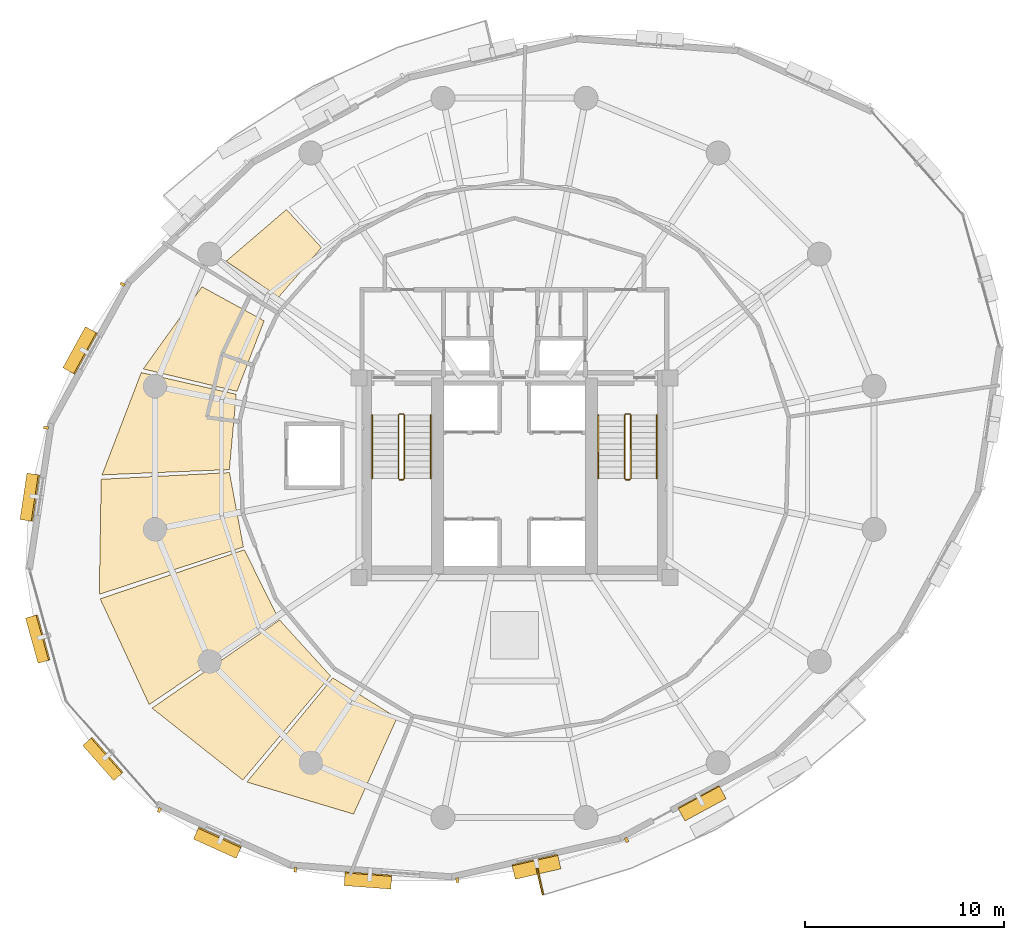
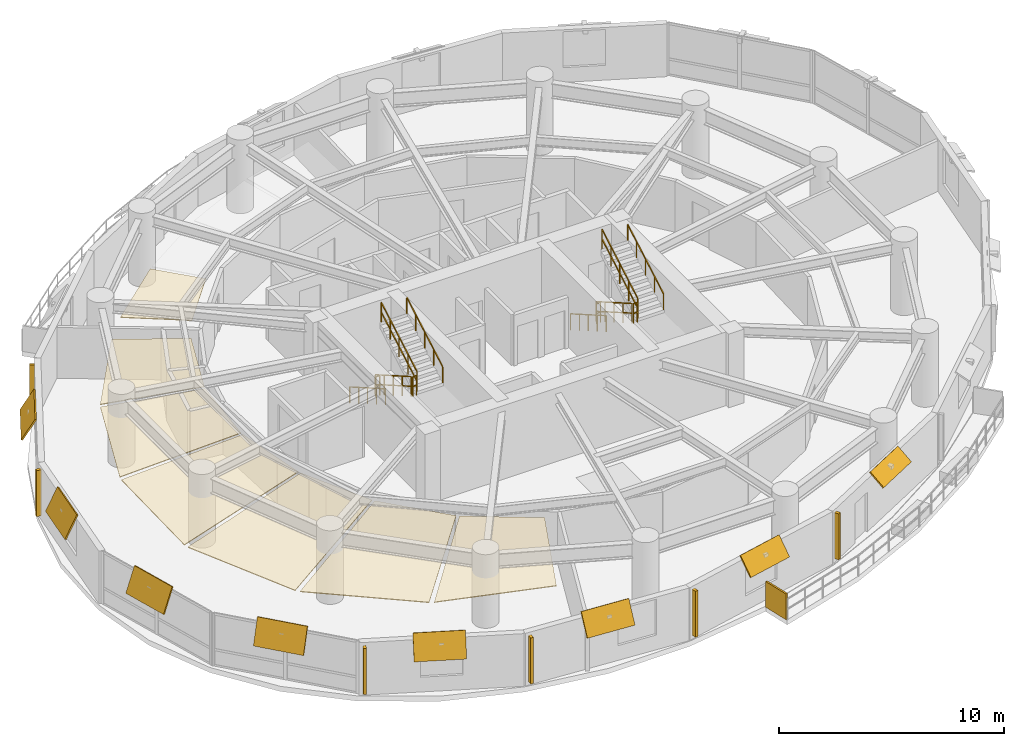
# One storey, part 11 of 12: 15 shading devices, 12 railings, 7 coverings.
"""IFC4 building model written with IfcOpenShell, lengths in metres."""

from ifc_helpers import new_model, si_unit, direction, frame, origin, origin_2d, place, context, subcontext, project, spatial, polyline, rectangle, outline, extrude, material, layer, layer_set, type_object, element, save


model = new_model("IFC4")

# Units and contexts
model_context = context("Model", 3, precision=1e-05, world=origin(), true_north=direction((0.0, 1.0)))
body_context = subcontext(model_context, "Body", "Model", "MODEL_VIEW")
ifc_project = project(units=[si_unit("LENGTHUNIT", "METRE"), si_unit("AREAUNIT", "SQUARE_METRE"), si_unit("VOLUMEUNIT", "CUBIC_METRE"), si_unit("PLANEANGLEUNIT", "RADIAN"), si_unit("MASSUNIT", "GRAM", prefix="KILO"), si_unit("THERMODYNAMICTEMPERATUREUNIT", "KELVIN"), si_unit("POWERUNIT", "WATT")], contexts=[model_context])

# Site, building, storey
site_placement = place(None, origin())
site = spatial("IfcSite", under=ifc_project, at=site_placement, CompositionType="ELEMENT")
building_placement = place(site_placement, origin())
building = spatial("IfcBuilding", under=site, at=building_placement, Name="Ocrelia Relay Tower", CompositionType="ELEMENT")
storey_placement = place(building_placement, frame((0.0, 0.0, 153.800048828125)))
storey = spatial("IfcBuildingStorey", under=building, at=storey_placement, Name="L36", CompositionType="ELEMENT", Elevation=153.800048828125)

# Coverings
ifc_material_1 = material(Name="Mineral-fiber acoustic ceiling tile", Category="gypsum")
ifc_layer_1 = layer(ifc_material_1, 0.0400390625, Name="Mineral-fiber acoustic ceiling tile")
ifc_layer_set_1 = layer_set([ifc_layer_1], Name="Mineral-fiber acoustic ceiling tile")
covering_type = type_object("IfcCoveringType", Name="COV-CEIL-ACOUSTIC", PredefinedType="CEILING", material=ifc_layer_set_1)
covering_1_placement = place(storey_placement, frame((0.0, 0.0, 2.679931640625)))
element("IfcCovering", 1, at=covering_1_placement, inside=storey, type_object=covering_type, Name="L36 Operations Control Office Suspended Ceiling 1", PredefinedType="CEILING", context=body_context, shape_type="SweptSolid", body=[
    extrude(outline(polyline([(21.439208984375, 32.876708984375), (18.31884765625, 34.585205078125), (15.37060546875, 30.461181640625), (20.07373046875, 29.334716796875), (21.439208984375, 32.876708984375)])), origin(), (0.0, 0.0, 1.0), 0.0400390625),
])
covering_2_placement = place(storey_placement, frame((0.0, 0.0, 2.679931640625)))
element("IfcCovering", 2, at=covering_2_placement, inside=storey, type_object=covering_type, Name="L36 Operations Control Office Suspended Ceiling 2", PredefinedType="CEILING", context=body_context, shape_type="SweptSolid", body=[
    extrude(outline(polyline([(20.03955078125, 29.188720703125), (15.26904296875, 30.278564453125), (13.305419921875, 25.144775390625), (19.692138671875, 25.40869140625), (20.03955078125, 29.188720703125)])), origin(), (0.0, 0.0, 1.0), 0.0400390625),
])
covering_3_placement = place(storey_placement, frame((0.0, 0.0, 2.679931640625)))
element("IfcCovering", 3, at=covering_3_placement, inside=storey, type_object=covering_type, Name="L36 Operations Control Office Suspended Ceiling 3", PredefinedType="CEILING", context=body_context, shape_type="SweptSolid", body=[
    extrude(outline(polyline([(19.69921875, 25.2587890625), (13.2587890625, 24.925048828125), (13.16455078125, 19.149658203125), (20.396484375, 21.52734375), (19.69921875, 25.2587890625)])), origin(), (0.0, 0.0, 1.0), 0.0400390625),
])
covering_4_placement = place(storey_placement, frame((0.0, 0.0, 2.679931640625)))
element("IfcCovering", 4, at=covering_4_placement, inside=storey, type_object=covering_type, Name="L36 Operations Control Office Suspended Ceiling 4", PredefinedType="CEILING", context=body_context, shape_type="SweptSolid", body=[
    extrude(outline(polyline([(20.444091796875, 21.38525390625), (13.209716796875, 18.92236328125), (15.66796875, 13.619384765625), (22.1328125, 17.985595703125), (20.444091796875, 21.38525390625)])), origin(), (0.0, 0.0, 1.0), 0.0400390625),
])
covering_5_placement = place(storey_placement, frame((0.0, 0.0, 2.679931640625)))
element("IfcCovering", 5, at=covering_5_placement, inside=storey, type_object=covering_type, Name="L36 Operations Control Office Suspended Ceiling 5", PredefinedType="CEILING", context=body_context, shape_type="SweptSolid", body=[
    extrude(outline(polyline([(22.21728515625, 17.861572265625), (15.813232421875, 13.43798828125), (20.367919921875, 9.830322265625), (24.769775390625, 15.0517578125), (22.21728515625, 17.861572265625)])), origin(), (0.0, 0.0, 1.0), 0.0400390625),
])
covering_6_placement = place(storey_placement, frame((0.0, 0.0, 2.679931640625)))
element("IfcCovering", 6, at=covering_6_placement, inside=storey, type_object=covering_type, Name="L36 Operations Control Office Suspended Ceiling 6", PredefinedType="CEILING", context=body_context, shape_type="SweptSolid", body=[
    extrude(outline(polyline([(24.885009765625, 14.95556640625), (20.571533203125, 9.729248046875), (25.926513671875, 8.119140625), (28.107177734375, 12.94873046875), (24.885009765625, 14.95556640625)])), origin(), (0.0, 0.0, 1.0), 0.0400390625),
])
covering_7_placement = place(storey_placement, frame((0.0, 0.0, 2.679931640625)))
element("IfcCovering", 7, at=covering_7_placement, inside=storey, type_object=covering_type, Name="L36 Sky Observation Lounge Suspended Ceiling 4", PredefinedType="CEILING", context=body_context, shape_type="SweptSolid", body=[
    extrude(outline(polyline([(24.31640625, 36.54931640625), (22.5595703125, 38.463134765625), (19.532470703125, 35.869140625), (22.17041015625, 34.069580078125), (24.31640625, 36.54931640625)])), origin(), (0.0, 0.0, 1.0), 0.0400390625),
])

# Railings
ifc_material_2 = material(Name="Steel S355 balustrade", Category="steel")
railing_type_1 = type_object("IfcRailingType", Name="RL-STAIR-GUARD", PredefinedType="GUARDRAIL", material=ifc_material_2)
railing_1_placement = place(storey_placement, frame((28.179931640625, 28.14990234375, 0.16650390625)))
element("IfcRailing", 8, at=railing_1_placement, inside=storey, type_object=railing_type_1, Name="L36 ST1 stair guard 1", PredefinedType="GUARDRAIL", context=body_context, shape_type="SweptSolid", body=[
    extrude(rectangle(XDim=0.048095703125, YDim=0.048095703125, at=origin_2d()), frame((0.0, 0.0, 1.076171875), z_axis=(0.0, -0.86699087805, 0.498324008431), x_axis=(1.0, 0.0, 0.0)), (0.0, 0.0, 1.0), 3.679443359375),
    extrude(rectangle(XDim=0.048095703125, YDim=0.048095703125, at=origin_2d()), frame((0.0, 0.0, 0.550048828125), z_axis=(0.0, -0.86699087805, 0.498324008431), x_axis=(1.0, 0.0, 0.0)), (0.0, 0.0, 1.0), 3.679443359375),
    extrude(rectangle(XDim=0.0419921875, YDim=0.0419921875, at=origin_2d()), origin(), (0.0, 0.0, 1.0), 1.052001953125),
    extrude(rectangle(XDim=0.0419921875, YDim=0.0419921875, at=origin_2d()), frame((0.0, -0.79736328125, 0.45849609375)), (0.0, 0.0, 1.0), 1.052001953125),
    extrude(rectangle(XDim=0.0419921875, YDim=0.0419921875, at=origin_2d()), frame((0.0, -1.594970703125, 0.916748046875)), (0.0, 0.0, 1.0), 1.052001953125),
    extrude(rectangle(XDim=0.0419921875, YDim=0.0419921875, at=origin_2d()), frame((0.0, -2.392578125, 1.375)), (0.0, 0.0, 1.0), 1.052001953125),
    extrude(rectangle(XDim=0.0419921875, YDim=0.0419921875, at=origin_2d()), frame((0.0, -3.18994140625, 1.83349609375)), (0.0, 0.0, 1.0), 1.052001953125),
])
railing_2_placement = place(storey_placement, frame((28.22998046875, 24.909912109375, 2.0)))
element("IfcRailing", 9, at=railing_2_placement, inside=storey, type_object=railing_type_1, Name="L36 ST1 stair guard 2", PredefinedType="GUARDRAIL", context=body_context, shape_type="SweptSolid", body=[
    extrude(rectangle(XDim=0.048095703125, YDim=0.048095703125, at=origin_2d()), frame((0.0, 0.0, 1.076171875), z_axis=(1.0, 0.0, 0.0), x_axis=(0.0, 1.0, 0.0)), (0.0, 0.0, 1.0), 0.199951171875),
    extrude(rectangle(XDim=0.048095703125, YDim=0.048095703125, at=origin_2d()), frame((0.0, 0.0, 0.550048828125), z_axis=(1.0, 0.0, 0.0), x_axis=(0.0, 1.0, 0.0)), (0.0, 0.0, 1.0), 0.199951171875),
    extrude(rectangle(XDim=0.0419921875, YDim=0.0419921875, at=origin_2d()), origin(), (0.0, 0.0, 1.0), 1.052001953125),
    extrude(rectangle(XDim=0.0419921875, YDim=0.0419921875, at=origin_2d()), frame((0.199951171875, 0.0, 0.0)), (0.0, 0.0, 1.0), 1.052001953125),
])
railing_3_placement = place(storey_placement, frame((28.47998046875, 24.9599609375, 2.16650390625)))
element("IfcRailing", 10, at=railing_3_placement, inside=storey, type_object=railing_type_1, Name="L36 ST1 stair guard 3", PredefinedType="GUARDRAIL", context=body_context, shape_type="SweptSolid", body=[
    extrude(rectangle(XDim=0.048095703125, YDim=0.048095703125, at=origin_2d()), frame((0.0, 0.0, 1.076171875), z_axis=(0.0, 0.86699087805, 0.498324008431), x_axis=(-1.0, 0.0, 0.0)), (0.0, 0.0, 1.0), 3.679443359375),
    extrude(rectangle(XDim=0.048095703125, YDim=0.048095703125, at=origin_2d()), frame((0.0, 0.0, 0.550048828125), z_axis=(0.0, 0.86699087805, 0.498324008431), x_axis=(-1.0, 0.0, 0.0)), (0.0, 0.0, 1.0), 3.679443359375),
    extrude(rectangle(XDim=0.0419921875, YDim=0.0419921875, at=origin_2d()), origin(), (0.0, 0.0, 1.0), 1.052001953125),
    extrude(rectangle(XDim=0.0419921875, YDim=0.0419921875, at=origin_2d()), frame((0.0, 0.79736328125, 0.45849609375)), (0.0, 0.0, 1.0), 1.052001953125),
    extrude(rectangle(XDim=0.0419921875, YDim=0.0419921875, at=origin_2d()), frame((0.0, 1.594970703125, 0.916748046875)), (0.0, 0.0, 1.0), 1.052001953125),
    extrude(rectangle(XDim=0.0419921875, YDim=0.0419921875, at=origin_2d()), frame((0.0, 2.392578125, 1.375)), (0.0, 0.0, 1.0), 1.052001953125),
    extrude(rectangle(XDim=0.0419921875, YDim=0.0419921875, at=origin_2d()), frame((0.0, 3.18994140625, 1.83349609375)), (0.0, 0.0, 1.0), 1.052001953125),
])
railing_4_placement = place(storey_placement, frame((28.22998046875, 28.199951171875, 0.0)))
element("IfcRailing", 11, at=railing_4_placement, inside=storey, type_object=railing_type_1, Name="L36 ST1 stair guard 4", PredefinedType="GUARDRAIL", context=body_context, shape_type="SweptSolid", body=[
    extrude(rectangle(XDim=0.048095703125, YDim=0.048095703125, at=origin_2d()), frame((0.0, 0.0, 1.076171875), z_axis=(1.0, 0.0, 0.0), x_axis=(0.0, 1.0, 0.0)), (0.0, 0.0, 1.0), 0.199951171875),
    extrude(rectangle(XDim=0.048095703125, YDim=0.048095703125, at=origin_2d()), frame((0.0, 0.0, 0.550048828125), z_axis=(1.0, 0.0, 0.0), x_axis=(0.0, 1.0, 0.0)), (0.0, 0.0, 1.0), 0.199951171875),
    extrude(rectangle(XDim=0.0419921875, YDim=0.0419921875, at=origin_2d()), origin(), (0.0, 0.0, 1.0), 1.052001953125),
    extrude(rectangle(XDim=0.0419921875, YDim=0.0419921875, at=origin_2d()), frame((0.199951171875, 0.0, 0.0)), (0.0, 0.0, 1.0), 1.052001953125),
])
railing_5_placement = place(storey_placement, frame((39.530029296875, 28.14990234375, 0.16650390625)))
element("IfcRailing", 12, at=railing_5_placement, inside=storey, type_object=railing_type_1, Name="L36 ST2 stair guard 1", PredefinedType="GUARDRAIL", context=body_context, shape_type="SweptSolid", body=[
    extrude(rectangle(XDim=0.048095703125, YDim=0.048095703125, at=origin_2d()), frame((0.0, 0.0, 1.076171875), z_axis=(0.0, -0.86699087805, 0.498324008431), x_axis=(1.0, 0.0, 0.0)), (0.0, 0.0, 1.0), 3.679443359375),
    extrude(rectangle(XDim=0.048095703125, YDim=0.048095703125, at=origin_2d()), frame((0.0, 0.0, 0.550048828125), z_axis=(0.0, -0.86699087805, 0.498324008431), x_axis=(1.0, 0.0, 0.0)), (0.0, 0.0, 1.0), 3.679443359375),
    extrude(rectangle(XDim=0.0419921875, YDim=0.0419921875, at=origin_2d()), origin(), (0.0, 0.0, 1.0), 1.052001953125),
    extrude(rectangle(XDim=0.0419921875, YDim=0.0419921875, at=origin_2d()), frame((0.0, -0.79736328125, 0.45849609375)), (0.0, 0.0, 1.0), 1.052001953125),
    extrude(rectangle(XDim=0.0419921875, YDim=0.0419921875, at=origin_2d()), frame((0.0, -1.594970703125, 0.916748046875)), (0.0, 0.0, 1.0), 1.052001953125),
    extrude(rectangle(XDim=0.0419921875, YDim=0.0419921875, at=origin_2d()), frame((0.0, -2.392578125, 1.375)), (0.0, 0.0, 1.0), 1.052001953125),
    extrude(rectangle(XDim=0.0419921875, YDim=0.0419921875, at=origin_2d()), frame((0.0, -3.18994140625, 1.83349609375)), (0.0, 0.0, 1.0), 1.052001953125),
])
railing_6_placement = place(storey_placement, frame((39.580078125, 24.909912109375, 2.0)))
element("IfcRailing", 13, at=railing_6_placement, inside=storey, type_object=railing_type_1, Name="L36 ST2 stair guard 2", PredefinedType="GUARDRAIL", context=body_context, shape_type="SweptSolid", body=[
    extrude(rectangle(XDim=0.048095703125, YDim=0.048095703125, at=origin_2d()), frame((0.0, 0.0, 1.076171875), z_axis=(1.0, 0.0, 0.0), x_axis=(0.0, 1.0, 0.0)), (0.0, 0.0, 1.0), 0.199951171875),
    extrude(rectangle(XDim=0.048095703125, YDim=0.048095703125, at=origin_2d()), frame((0.0, 0.0, 0.550048828125), z_axis=(1.0, 0.0, 0.0), x_axis=(0.0, 1.0, 0.0)), (0.0, 0.0, 1.0), 0.199951171875),
    extrude(rectangle(XDim=0.0419921875, YDim=0.0419921875, at=origin_2d()), origin(), (0.0, 0.0, 1.0), 1.052001953125),
    extrude(rectangle(XDim=0.0419921875, YDim=0.0419921875, at=origin_2d()), frame((0.199951171875, 0.0, 0.0)), (0.0, 0.0, 1.0), 1.052001953125),
])
railing_7_placement = place(storey_placement, frame((39.830078125, 24.9599609375, 2.16650390625)))
element("IfcRailing", 14, at=railing_7_placement, inside=storey, type_object=railing_type_1, Name="L36 ST2 stair guard 3", PredefinedType="GUARDRAIL", context=body_context, shape_type="SweptSolid", body=[
    extrude(rectangle(XDim=0.048095703125, YDim=0.048095703125, at=origin_2d()), frame((0.0, 0.0, 1.076171875), z_axis=(0.0, 0.86699087805, 0.498324008431), x_axis=(-1.0, 0.0, 0.0)), (0.0, 0.0, 1.0), 3.679443359375),
    extrude(rectangle(XDim=0.048095703125, YDim=0.048095703125, at=origin_2d()), frame((0.0, 0.0, 0.550048828125), z_axis=(0.0, 0.86699087805, 0.498324008431), x_axis=(-1.0, 0.0, 0.0)), (0.0, 0.0, 1.0), 3.679443359375),
    extrude(rectangle(XDim=0.0419921875, YDim=0.0419921875, at=origin_2d()), origin(), (0.0, 0.0, 1.0), 1.052001953125),
    extrude(rectangle(XDim=0.0419921875, YDim=0.0419921875, at=origin_2d()), frame((0.0, 0.79736328125, 0.45849609375)), (0.0, 0.0, 1.0), 1.052001953125),
    extrude(rectangle(XDim=0.0419921875, YDim=0.0419921875, at=origin_2d()), frame((0.0, 1.594970703125, 0.916748046875)), (0.0, 0.0, 1.0), 1.052001953125),
    extrude(rectangle(XDim=0.0419921875, YDim=0.0419921875, at=origin_2d()), frame((0.0, 2.392578125, 1.375)), (0.0, 0.0, 1.0), 1.052001953125),
    extrude(rectangle(XDim=0.0419921875, YDim=0.0419921875, at=origin_2d()), frame((0.0, 3.18994140625, 1.83349609375)), (0.0, 0.0, 1.0), 1.052001953125),
])
railing_8_placement = place(storey_placement, frame((39.580078125, 28.199951171875, 0.0)))
element("IfcRailing", 15, at=railing_8_placement, inside=storey, type_object=railing_type_1, Name="L36 ST2 stair guard 4", PredefinedType="GUARDRAIL", context=body_context, shape_type="SweptSolid", body=[
    extrude(rectangle(XDim=0.048095703125, YDim=0.048095703125, at=origin_2d()), frame((0.0, 0.0, 1.076171875), z_axis=(1.0, 0.0, 0.0), x_axis=(0.0, 1.0, 0.0)), (0.0, 0.0, 1.0), 0.199951171875),
    extrude(rectangle(XDim=0.048095703125, YDim=0.048095703125, at=origin_2d()), frame((0.0, 0.0, 0.550048828125), z_axis=(1.0, 0.0, 0.0), x_axis=(0.0, 1.0, 0.0)), (0.0, 0.0, 1.0), 0.199951171875),
    extrude(rectangle(XDim=0.0419921875, YDim=0.0419921875, at=origin_2d()), origin(), (0.0, 0.0, 1.0), 1.052001953125),
    extrude(rectangle(XDim=0.0419921875, YDim=0.0419921875, at=origin_2d()), frame((0.199951171875, 0.0, 0.0)), (0.0, 0.0, 1.0), 1.052001953125),
])
ifc_material_3 = material(Name="Steel S355 tubular handrail", Category="steel")
railing_type_2 = type_object("IfcRailingType", Name="RL-STAIR-HAND", PredefinedType="HANDRAIL", material=ifc_material_3)
railing_9_placement = place(storey_placement, frame((26.860107421875, 28.14990234375, 0.16650390625)))
element("IfcRailing", 16, at=railing_9_placement, inside=storey, type_object=railing_type_2, Name="L36 ST1 stair handrail 1", PredefinedType="HANDRAIL", context=body_context, shape_type="SweptSolid", body=[
    extrude(rectangle(XDim=0.048095703125, YDim=0.048095703125, at=origin_2d()), frame((0.0, 0.0, 0.8759765625), z_axis=(0.0, -0.86699087805, 0.498324008431), x_axis=(1.0, 0.0, 0.0)), (0.0, 0.0, 1.0), 3.679443359375),
    extrude(rectangle(XDim=0.0419921875, YDim=0.0419921875, at=origin_2d()), origin(), (0.0, 0.0, 1.0), 0.851806640625),
    extrude(rectangle(XDim=0.0419921875, YDim=0.0419921875, at=origin_2d()), frame((0.0, -0.79736328125, 0.45849609375)), (0.0, 0.0, 1.0), 0.851806640625),
    extrude(rectangle(XDim=0.0419921875, YDim=0.0419921875, at=origin_2d()), frame((0.0, -1.594970703125, 0.916748046875)), (0.0, 0.0, 1.0), 0.851806640625),
    extrude(rectangle(XDim=0.0419921875, YDim=0.0419921875, at=origin_2d()), frame((0.0, -2.392578125, 1.375)), (0.0, 0.0, 1.0), 0.851806640625),
    extrude(rectangle(XDim=0.0419921875, YDim=0.0419921875, at=origin_2d()), frame((0.0, -3.18994140625, 1.83349609375)), (0.0, 0.0, 1.0), 0.851806640625),
])
railing_10_placement = place(storey_placement, frame((29.800048828125, 24.9599609375, 2.16650390625)))
element("IfcRailing", 17, at=railing_10_placement, inside=storey, type_object=railing_type_2, Name="L36 ST1 stair handrail 2", PredefinedType="HANDRAIL", context=body_context, shape_type="SweptSolid", body=[
    extrude(rectangle(XDim=0.048095703125, YDim=0.048095703125, at=origin_2d()), frame((0.0, 0.0, 0.8759765625), z_axis=(0.0, 0.86699087805, 0.498324008431), x_axis=(-1.0, 0.0, 0.0)), (0.0, 0.0, 1.0), 3.679443359375),
    extrude(rectangle(XDim=0.0419921875, YDim=0.0419921875, at=origin_2d()), origin(), (0.0, 0.0, 1.0), 0.851806640625),
    extrude(rectangle(XDim=0.0419921875, YDim=0.0419921875, at=origin_2d()), frame((0.0, 0.79736328125, 0.45849609375)), (0.0, 0.0, 1.0), 0.851806640625),
    extrude(rectangle(XDim=0.0419921875, YDim=0.0419921875, at=origin_2d()), frame((0.0, 1.594970703125, 0.916748046875)), (0.0, 0.0, 1.0), 0.851806640625),
    extrude(rectangle(XDim=0.0419921875, YDim=0.0419921875, at=origin_2d()), frame((0.0, 2.392578125, 1.375)), (0.0, 0.0, 1.0), 0.851806640625),
    extrude(rectangle(XDim=0.0419921875, YDim=0.0419921875, at=origin_2d()), frame((0.0, 3.18994140625, 1.83349609375)), (0.0, 0.0, 1.0), 0.851806640625),
])
railing_11_placement = place(storey_placement, frame((38.2099609375, 28.14990234375, 0.16650390625)))
element("IfcRailing", 18, at=railing_11_placement, inside=storey, type_object=railing_type_2, Name="L36 ST2 stair handrail 1", PredefinedType="HANDRAIL", context=body_context, shape_type="SweptSolid", body=[
    extrude(rectangle(XDim=0.048095703125, YDim=0.048095703125, at=origin_2d()), frame((0.0, 0.0, 0.8759765625), z_axis=(0.0, -0.86699087805, 0.498324008431), x_axis=(1.0, 0.0, 0.0)), (0.0, 0.0, 1.0), 3.679443359375),
    extrude(rectangle(XDim=0.0419921875, YDim=0.0419921875, at=origin_2d()), origin(), (0.0, 0.0, 1.0), 0.851806640625),
    extrude(rectangle(XDim=0.0419921875, YDim=0.0419921875, at=origin_2d()), frame((0.0, -0.79736328125, 0.45849609375)), (0.0, 0.0, 1.0), 0.851806640625),
    extrude(rectangle(XDim=0.0419921875, YDim=0.0419921875, at=origin_2d()), frame((0.0, -1.594970703125, 0.916748046875)), (0.0, 0.0, 1.0), 0.851806640625),
    extrude(rectangle(XDim=0.0419921875, YDim=0.0419921875, at=origin_2d()), frame((0.0, -2.392578125, 1.375)), (0.0, 0.0, 1.0), 0.851806640625),
    extrude(rectangle(XDim=0.0419921875, YDim=0.0419921875, at=origin_2d()), frame((0.0, -3.18994140625, 1.83349609375)), (0.0, 0.0, 1.0), 0.851806640625),
])
railing_12_placement = place(storey_placement, frame((41.14990234375, 24.9599609375, 2.16650390625)))
element("IfcRailing", 19, at=railing_12_placement, inside=storey, type_object=railing_type_2, Name="L36 ST2 stair handrail 2", PredefinedType="HANDRAIL", context=body_context, shape_type="SweptSolid", body=[
    extrude(rectangle(XDim=0.048095703125, YDim=0.048095703125, at=origin_2d()), frame((0.0, 0.0, 0.8759765625), z_axis=(0.0, 0.86699087805, 0.498324008431), x_axis=(-1.0, 0.0, 0.0)), (0.0, 0.0, 1.0), 3.679443359375),
    extrude(rectangle(XDim=0.0419921875, YDim=0.0419921875, at=origin_2d()), origin(), (0.0, 0.0, 1.0), 0.851806640625),
    extrude(rectangle(XDim=0.0419921875, YDim=0.0419921875, at=origin_2d()), frame((0.0, 0.79736328125, 0.45849609375)), (0.0, 0.0, 1.0), 0.851806640625),
    extrude(rectangle(XDim=0.0419921875, YDim=0.0419921875, at=origin_2d()), frame((0.0, 1.594970703125, 0.916748046875)), (0.0, 0.0, 1.0), 0.851806640625),
    extrude(rectangle(XDim=0.0419921875, YDim=0.0419921875, at=origin_2d()), frame((0.0, 2.392578125, 1.375)), (0.0, 0.0, 1.0), 0.851806640625),
    extrude(rectangle(XDim=0.0419921875, YDim=0.0419921875, at=origin_2d()), frame((0.0, 3.18994140625, 1.83349609375)), (0.0, 0.0, 1.0), 0.851806640625),
])

# Shading devices
ifc_material_4 = material(Name="Perforated oxide terracotta solar screen", Category="masonry")
ifc_layer_2 = layer(ifc_material_4, 0.090087890625, Name="Perforated oxide terracotta solar screen")
ifc_layer_set_2 = layer_set([ifc_layer_2], Name="Perforated oxide terracotta solar screen")
shading_device_type_1 = type_object("IfcShadingDeviceType", Name="SH-BALC-SCREEN", PredefinedType="USERDEFINED", material=ifc_layer_set_2)
shading_device_1_placement = place(storey_placement, frame((35.284912109375, 4.729736328125, 0.0), z_axis=(0.0, 0.0, 1.0), x_axis=(0.22232204056, -0.974973286958, 0.0)))
element("IfcShadingDevice", 20, at=shading_device_1_placement, inside=storey, type_object=shading_device_type_1, Name="L36 Balcony Perforated Terracotta Screen B2-1", ObjectType="SCREEN", PredefinedType="USERDEFINED", context=body_context, shape_type="SweptSolid", body=[
    extrude(rectangle(XDim=1.340087890625, YDim=0.090087890625, at=origin_2d()), origin(), (0.0, 0.0, 1.0), 1.39990234375),
])
ifc_material_5 = material(Name="Extruded oxide terracotta vertical baguette", Category="masonry")
shading_device_type_2 = type_object("IfcShadingDeviceType", Name="SH-TERR-BAGUETTE", PredefinedType="USERDEFINED", material=ifc_material_5)
for number, where, z_axis, x_axis, name in (
    (21, (14.334716796875, 34.7099609375, 0.179931640625), (0.0, 0.0, 1.0), (-0.481477672977, -0.876458356355, 0.0), "L36 Oxide Terracotta Vertical Baguette 07"),
    (22, (10.4912109375, 27.51123046875, 0.179931640625), (0.0, 0.0, 1.0), (-0.148143748099, -0.988965838591, 0.0), "L36 Oxide Terracotta Vertical Baguette 08"),
    (23, (16.180908203125, 8.3212890625, 0.179931640625), (0.0, 0.0, 1.0), (0.910104227307, -0.414379410006, 0.0), "L36 Oxide Terracotta Vertical Baguette 11"),
    (24, (22.999755859375, 5.32373046875, 0.179931640625), (0.0, 0.0, 1.0), (0.997290592698, -0.073562719608, 0.0), "L36 Oxide Terracotta Vertical Baguette 12"),
    (25, (31.135986328125, 4.8046875, 0.179931640625), (0.0, 0.0, 1.0), (0.974648043129, 0.22374358544, 0.0), "L36 Oxide Terracotta Vertical Baguette 13"),
    (26, (39.624267578125, 6.828125, 0.179931640625), (0.0, 0.0, 1.0), (0.878818530607, 0.477156148721, 0.0), "L36 Oxide Terracotta Vertical Baguette 14"),
):
    element("IfcShadingDevice", number, at=place(storey_placement, frame(where, z_axis=z_axis, x_axis=x_axis)), inside=storey, type_object=shading_device_type_2, Name=name, ObjectType="BAGUETTE", PredefinedType="USERDEFINED", context=body_context, shape_type="SweptSolid", body=[
        extrude(rectangle(XDim=0.139892578125, YDim=0.239990234375, at=origin_2d()), origin(), (0.0, 0.0, 1.0), 2.5),
    ])
ifc_material_6 = material(Name="Extruded oxide terracotta fin", Category="masonry")
ifc_layer_3 = layer(ifc_material_6, 0.080078125, Name="Extruded oxide terracotta fin")
ifc_layer_set_3 = layer_set([ifc_layer_3], Name="Extruded oxide terracotta fin")
shading_device_type_3 = type_object("IfcShadingDeviceType", Name="SH-VISOR-FIN-DEEP", PredefinedType="USERDEFINED", material=ifc_layer_set_3)
shading_device_2_placement = place(storey_placement, frame((12.2353515625, 31.3681640625, 2.680419921875), z_axis=(-0.76418263209, 0.419799609144, 0.48968683153), x_axis=(-0.481477672977, -0.876458356355, 0.0)))
element("IfcShadingDevice", 27, at=shading_device_2_placement, inside=storey, type_object=shading_device_type_3, Name="L36 Canted Terracotta Sun-Visor Fin 07", ObjectType="FIN", PredefinedType="USERDEFINED", context=body_context, shape_type="SweptSolid", body=[
    extrude(rectangle(XDim=2.35009765625, YDim=1.260986328125, at=origin_2d()), origin(), (0.0, 0.0, 1.0), 0.080078125),
])
shading_device_3_placement = place(storey_placement, frame((9.713623046875, 24.01513671875, 2.6826171875), z_axis=(-0.892626012637, 0.133712367002, 0.430511096808), x_axis=(-0.148143748099, -0.988965838591, 0.0)))
element("IfcShadingDevice", 28, at=shading_device_3_placement, inside=storey, type_object=shading_device_type_3, Name="L36 Canted Terracotta Sun-Visor Fin 08", ObjectType="FIN", PredefinedType="USERDEFINED", context=body_context, shape_type="SweptSolid", body=[
    extrude(rectangle(XDim=2.35009765625, YDim=1.324951171875, at=origin_2d()), origin(), (0.0, 0.0, 1.0), 0.080078125),
])
shading_device_4_placement = place(storey_placement, frame((10.11376953125, 16.91748046875, 2.68359375), z_axis=(-0.879778571727, -0.244491339834, 0.407693082449), x_axis=(0.267754075452, -0.963487288488, 0.0)))
element("IfcShadingDevice", 29, at=shading_device_4_placement, inside=storey, type_object=shading_device_type_3, Name="L36 Canted Terracotta Sun-Visor Fin 09", ObjectType="FIN", PredefinedType="USERDEFINED", context=body_context, shape_type="SweptSolid", body=[
    extrude(rectangle(XDim=2.35009765625, YDim=1.34912109375, at=origin_2d()), origin(), (0.0, 0.0, 1.0), 0.080078125),
])
shading_device_5_placement = place(storey_placement, frame((13.375, 10.915283203125, 2.683349609375), z_axis=(-0.68206011714, -0.60278526679, 0.41405786884), x_axis=(0.662219056537, -0.74931029698, 0.0)))
element("IfcShadingDevice", 30, at=shading_device_5_placement, inside=storey, type_object=shading_device_type_3, Name="L36 Canted Terracotta Sun-Visor Fin 10", ObjectType="FIN", PredefinedType="USERDEFINED", context=body_context, shape_type="SweptSolid", body=[
    extrude(rectangle(XDim=2.35009765625, YDim=1.342041015625, at=origin_2d()), origin(), (0.0, 0.0, 1.0), 0.080078125),
])
shading_device_6_placement = place(storey_placement, frame((19.111328125, 6.717041015625, 2.681884765625), z_axis=(-0.370259678319, -0.813203770028, 0.449007125805), x_axis=(0.910104227307, -0.414379410006, 0.0)))
element("IfcShadingDevice", 31, at=shading_device_6_placement, inside=storey, type_object=shading_device_type_3, Name="L36 Canted Terracotta Sun-Visor Fin 11", ObjectType="FIN", PredefinedType="USERDEFINED", context=body_context, shape_type="SweptSolid", body=[
    extrude(rectangle(XDim=2.35009765625, YDim=1.304931640625, at=origin_2d()), origin(), (0.0, 0.0, 1.0), 0.080078125),
])
shading_device_7_placement = place(storey_placement, frame((26.6513671875, 4.8310546875, 2.67919921875), z_axis=(-0.062862984546, -0.85223416768, 0.519369972768), x_axis=(0.997290592698, -0.073562719608, 0.0)))
element("IfcShadingDevice", 32, at=shading_device_7_placement, inside=storey, type_object=shading_device_type_3, Name="L36 Canted Terracotta Sun-Visor Fin 12", ObjectType="FIN", PredefinedType="USERDEFINED", context=body_context, shape_type="SweptSolid", body=[
    extrude(rectangle(XDim=2.35009765625, YDim=1.22802734375, at=origin_2d()), origin(), (0.0, 0.0, 1.0), 0.080078125),
])
ifc_layer_4 = layer(ifc_material_6, 0.080078125, Name="Extruded oxide terracotta fin")
ifc_layer_set_4 = layer_set([ifc_layer_4], Name="Extruded oxide terracotta fin")
shading_device_type_4 = type_object("IfcShadingDeviceType", Name="SH-VISOR-FIN-MED", PredefinedType="USERDEFINED", material=ifc_layer_set_4)
shading_device_8_placement = place(storey_placement, frame((35.094970703125, 5.5087890625, 2.6748046875), z_axis=(0.173783080049, -0.757015395839, 0.629862787876), x_axis=(0.974648043129, 0.22374358544, 0.0)))
element("IfcShadingDevice", 33, at=shading_device_8_placement, inside=storey, type_object=shading_device_type_4, Name="L36 Canted Terracotta Sun-Visor Fin 13", ObjectType="FIN", PredefinedType="USERDEFINED", context=body_context, shape_type="SweptSolid", body=[
    extrude(rectangle(XDim=2.35009765625, YDim=1.09912109375, at=origin_2d()), origin(), (0.0, 0.0, 1.0), 0.080078125),
])
shading_device_9_placement = place(storey_placement, frame((43.39794921875, 8.69140625, 2.66943359375), z_axis=(0.310078065639, -0.571096800804, 0.760065811178), x_axis=(0.878818530607, 0.477156148721, 0.0)))
element("IfcShadingDevice", 34, at=shading_device_9_placement, inside=storey, type_object=shading_device_type_4, Name="L36 Canted Terracotta Sun-Visor Fin 14", ObjectType="FIN", PredefinedType="USERDEFINED", context=body_context, shape_type="SweptSolid", body=[
    extrude(rectangle(XDim=2.35009765625, YDim=0.926025390625, at=origin_2d()), origin(), (0.0, 0.0, 1.0), 0.080078125),
])

save(model, "model.ifc")
